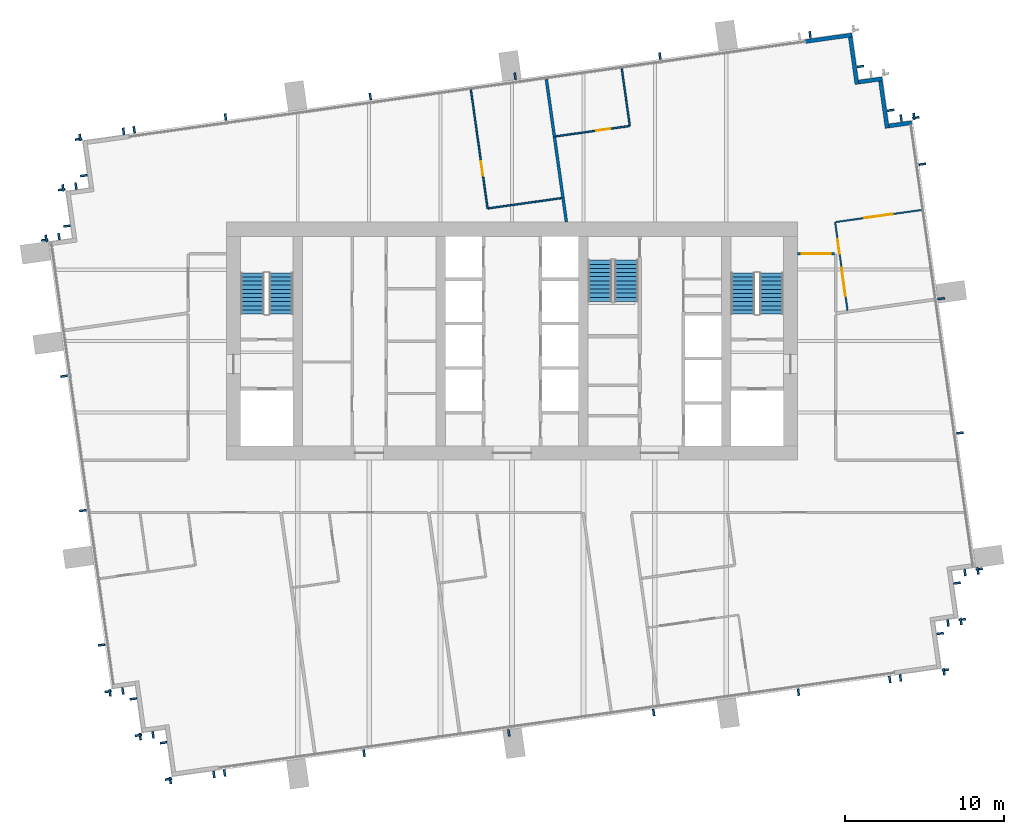
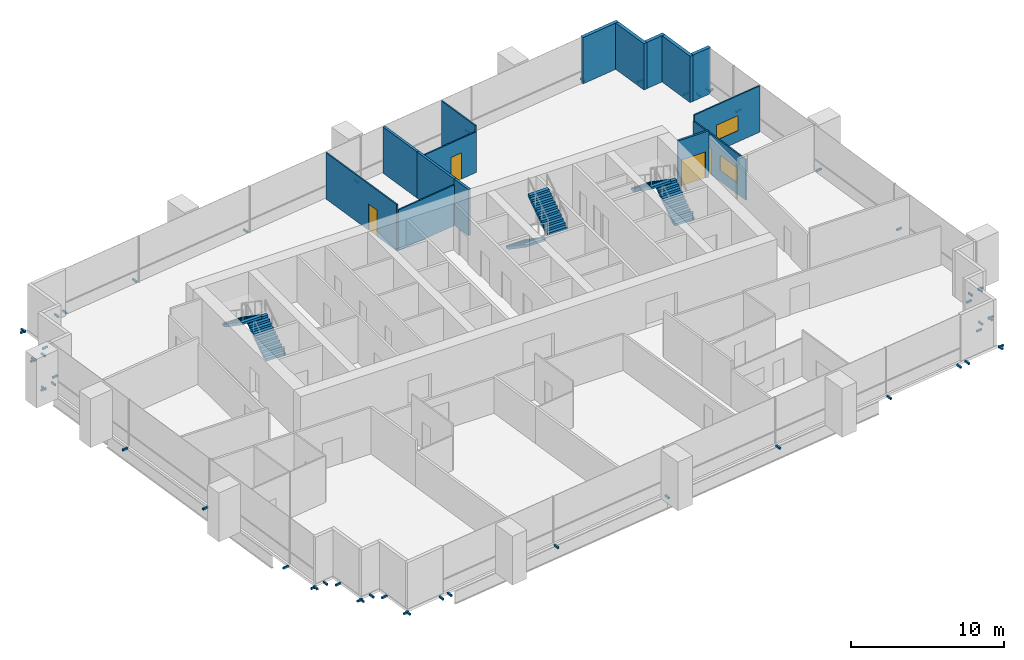
# One storey, part 12 of 14: 56 discrete accessories, 15 walls, 6 stair flights, 4 doors, 2 windows, 6 openings, 3 elements without a shape of their own.
"""IFC4 building model written with IfcOpenShell, lengths in metres."""

from ifc_helpers import new_model, si_unit, direction, frame, frame_2d, origin, origin_2d, place, context, subcontext, project, spatial, polyline, rectangle, outline, extrude, material, layer, layer_set, type_object, element, fill, aggregate, save


model = new_model("IFC4")

# Units and contexts
model_context = context("Model", 3, precision=1e-05, world=origin(), true_north=direction((0.0, 1.0)))
body_context = subcontext(model_context, "Body", "Model", "MODEL_VIEW")
ifc_project = project(units=[si_unit("LENGTHUNIT", "METRE"), si_unit("AREAUNIT", "SQUARE_METRE"), si_unit("VOLUMEUNIT", "CUBIC_METRE"), si_unit("PLANEANGLEUNIT", "RADIAN"), si_unit("MASSUNIT", "GRAM", prefix="KILO")], contexts=[model_context])

# Site, building, storey
site_placement = place(None, origin())
site = spatial("IfcSite", under=ifc_project, at=site_placement, CompositionType="ELEMENT")
building_placement = place(site_placement, origin())
building = spatial("IfcBuilding", under=site, at=building_placement, Name="Rattan Terrace Tower", CompositionType="ELEMENT")
storey_placement = place(building_placement, frame((0.0, 0.0, 195.800048828125)))
storey = spatial("IfcBuildingStorey", under=building, at=storey_placement, Name="L45", CompositionType="ELEMENT", Elevation=195.800048828125)

# Walls
ifc_material_1 = material(Name="Insulated aluminium-clad stud wall", Category="aluminium")
ifc_layer_1 = layer(ifc_material_1, 0.25)
ifc_layer_set_1 = layer_set([ifc_layer_1], Name="Facade Riser Wall 250")
wall_type_1 = type_object("IfcWallType", Name="Facade Riser Wall 250", PredefinedType="SOLIDWALL", material=ifc_layer_set_1)
wall_1_placement = place(storey_placement, frame((25.18359375, 13.758056640625, 0.0), z_axis=(0.0, 0.0, 1.0), x_axis=(-0.9902493448, -0.13930626376, 0.0)))
element("IfcWall", 1, at=wall_1_placement, inside=storey, type_object=wall_type_1, Name="Riser wall L45-6", PredefinedType="SOLIDWALL", context=body_context, shape_type="SweptSolid", body=[
    extrude(rectangle(XDim=1.45458984375, YDim=0.25, at=frame_2d((0.727294921875, 0.0))), origin(), (0.0, 0.0, 1.0), 3.699951171875),
])
wall_2_placement = place(storey_placement, frame((23.63671875, 13.414306640625, 0.0), z_axis=(0.0, 0.0, 1.0), x_axis=(-0.139313431826, 0.990248336385, 0.0)))
element("IfcWall", 2, at=wall_2_placement, inside=storey, type_object=wall_type_1, Name="Riser wall L45-7", PredefinedType="SOLIDWALL", context=body_context, shape_type="SweptSolid", body=[
    extrude(rectangle(XDim=3.000244140625, YDim=0.25, at=frame_2d((1.5, 0.0))), origin(), (0.0, 0.0, 1.0), 3.699951171875),
])
wall_3_placement = place(storey_placement, frame((23.3251953125, 16.5263671875, 0.0), z_axis=(0.0, 0.0, 1.0), x_axis=(-0.990243596651, -0.13934711799, 0.0)))
element("IfcWall", 3, at=wall_3_placement, inside=storey, type_object=wall_type_1, Name="Riser wall L45-8", PredefinedType="SOLIDWALL", context=body_context, shape_type="SweptSolid", body=[
    extrude(rectangle(XDim=1.499755859375, YDim=0.25, at=frame_2d((0.75, 0.0))), origin(), (0.0, 0.0, 1.0), 3.699951171875),
])
wall_4_placement = place(storey_placement, frame((21.733642578125, 16.17626953125, 0.0), z_axis=(0.0, 0.0, 1.0), x_axis=(-0.139313431826, 0.990248336385, 0.0)))
element("IfcWall", 4, at=wall_4_placement, inside=storey, type_object=wall_type_1, Name="Riser wall L45-9", PredefinedType="SOLIDWALL", context=body_context, shape_type="SweptSolid", body=[
    extrude(rectangle(XDim=3.000244140625, YDim=0.25, at=frame_2d((1.5, 0.0))), origin(), (0.0, 0.0, 1.0), 3.699951171875),
])
wall_5_placement = place(storey_placement, frame((21.422119140625, 19.288330078125, 0.0), z_axis=(0.0, 0.0, 1.0), x_axis=(-0.990246427036, -0.139327002919, 0.0)))
element("IfcWall", 5, at=wall_5_placement, inside=storey, type_object=wall_type_1, Name="Riser wall L45-10", PredefinedType="SOLIDWALL", context=body_context, shape_type="SweptSolid", body=[
    extrude(rectangle(XDim=2.954345703125, YDim=0.25, at=frame_2d((1.47705078125, 0.0))), origin(), (0.0, 0.0, 1.0), 3.699951171875),
])
ifc_material_2 = material(Name="Double steel stud acoustic partition, gypsum board, mineral wool, fire rated", Category="steel")
ifc_layer_2 = layer(ifc_material_2, 0.179931640625)
ifc_layer_set_2 = layer_set([ifc_layer_2], Name="Floors Acoustic Party Wall 180")
wall_type_2 = type_object("IfcWallType", Name="Floors Acoustic Party Wall 180", PredefinedType="PARTITIONING", material=ifc_layer_set_2)
wall_6_placement = place(storey_placement, frame((3.214111328125, 9.02392578125, 0.0), z_axis=(0.0, 0.0, 1.0), x_axis=(0.138977710078, -0.990295509483, 0.0)))
element("IfcWall", 6, at=wall_6_placement, inside=storey, type_object=wall_type_2, Name="pt-L45-041", PredefinedType="PARTITIONING", context=body_context, shape_type="SweptSolid", body=[
    extrude(rectangle(XDim=1.538818359375, YDim=0.179931640625, at=frame_2d((0.76953125, 0.0))), origin(), (0.0, 0.0, 1.0), 3.699951171875),
])
wall_7_placement = place(storey_placement, frame((2.6689453125, 12.906005859375, 0.0), z_axis=(0.0, 0.0, 1.0), x_axis=(0.139066846741, -0.990282995985, 0.0)))
element("IfcWall", 7, at=wall_7_placement, inside=storey, type_object=wall_type_2, Name="pt-L45-042", PredefinedType="PARTITIONING", context=body_context, shape_type="SweptSolid", body=[
    extrude(rectangle(XDim=3.920166015625, YDim=0.179931640625, at=frame_2d((1.9599609375, 0.0))), origin(), (0.0, 0.0, 1.0), 3.699951171875),
])
wall_8_placement = place(storey_placement, frame((2.1650390625, 16.490966796875, 0.0), z_axis=(0.0, 0.0, 1.0), x_axis=(0.138928291597, -0.990302443597, 0.0)))
element("IfcWall", 8, at=wall_8_placement, inside=storey, type_object=wall_type_2, Name="pt-L45-043", PredefinedType="PARTITIONING", context=body_context, shape_type="SweptSolid", body=[
    extrude(rectangle(XDim=3.6201171875, YDim=0.179931640625, at=frame_2d((1.81005859375, 0.0))), origin(), (0.0, 0.0, 1.0), 3.699951171875),
])

# Wall, opening, door
ifc_material_3 = material(Name="Gypsum board partition on steel studs", Category="steel")
ifc_layer_3 = layer(ifc_material_3, 0.10009765625)
ifc_layer_set_3 = layer_set([ifc_layer_3], Name="Floors Partition 100")
wall_type_3 = type_object("IfcWallType", Name="Floors Partition 100", PredefinedType="PARTITIONING", material=ifc_layer_set_3)
wall_9_placement = place(storey_placement, frame((-2.587890625, 15.822021484375, 0.0), z_axis=(0.0, 0.0, 1.0), x_axis=(0.139113424861, -0.990276453837, 0.0)))
wall_9 = element("IfcWall", 9, at=wall_9_placement, inside=storey, type_object=wall_type_3, Name="pt-L45-039", PredefinedType="PARTITIONING", context=body_context, shape_type="SweptSolid", body=[
    extrude(rectangle(XDim=7.539306640625, YDim=0.10009765625, at=frame_2d((3.76953125, 0.0))), origin(), (0.0, 0.0, 1.0), 3.699951171875),
])
opening_1_placement = place(wall_9_placement, frame((4.548095703125, 0.0, 0.0)))
opening_1 = element("IfcOpeningElement", 10, at=opening_1_placement, cuts=wall_9, Name="Opening L45-D112", PredefinedType="OPENING", context=body_context, shape_type="SweptSolid", body=[
    extrude(rectangle(XDim=0.89990234375, YDim=2.10009765625, at=frame_2d((0.449951171875, 1.050048828125))), frame((0.0, 0.060546875, 0.0), z_axis=(0.0, -1.0, 0.0), x_axis=(1.0, 0.0, 0.0)), (0.0, 0.0, 1.0), 0.12109375),
])
ifc_material_4 = material(Name="Solid core timber door, painted", Category="wood")
door_type_1 = type_object("IfcDoorType", Name="Floors Door 900x2100", OperationType="NOTDEFINED", PredefinedType="DOOR", material=ifc_material_4)
door_1_placement = place(opening_1_placement, origin())
door_1 = element("IfcDoor", 11, at=door_1_placement, inside=storey, type_object=door_type_1, Name="d-L45-112", OperationType="SINGLE_SWING_RIGHT", OverallHeight=2.10009765625, OverallWidth=0.89990234375, PredefinedType="DOOR", context=body_context, shape_type="SweptSolid", body=[
    extrude(rectangle(XDim=0.89990234375, YDim=2.10009765625, at=frame_2d((0.449951171875, 1.050048828125))), frame((0.0, 0.02490234375, 0.0), z_axis=(0.0, -1.0, 0.0), x_axis=(1.0, 0.0, 0.0)), (0.0, 0.0, 1.0), 0.050048828125),
])
fill(opening_1, door_1)

# Wall
wall_10_placement = place(storey_placement, frame((-1.489013671875, 8.363037109375, 0.0), z_axis=(0.0, 0.0, 1.0), x_axis=(0.990283092648, 0.139066158415, 0.0)))
element("IfcWall", 12, at=wall_10_placement, inside=storey, type_object=wall_type_3, Name="pt-L45-040", PredefinedType="PARTITIONING", context=body_context, shape_type="SweptSolid", body=[
    extrude(rectangle(XDim=4.6591796875, YDim=0.10009765625, at=frame_2d((2.32958984375, 0.0))), origin(), (0.0, 0.0, 1.0), 3.25),
])

# Wall, openings, door, window
wall_11_placement = place(storey_placement, frame((20.35888671875, 7.4951171875, 0.0), z_axis=(0.0, 0.0, 1.0), x_axis=(0.139221490403, -0.990261266843, 0.0)))
wall_11 = element("IfcWall", 13, at=wall_11_placement, inside=storey, type_object=wall_type_3, Name="pt-L45-046", PredefinedType="PARTITIONING", context=body_context, shape_type="SweptSolid", body=[
    extrude(rectangle(XDim=5.60986328125, YDim=0.10009765625, at=frame_2d((2.804931640625, 0.0))), origin(), (0.0, 0.0, 1.0), 3.25),
])
opening_2_placement = place(wall_11_placement, frame((1.092041015625, 0.0, 0.0)))
opening_2 = element("IfcOpeningElement", 14, at=opening_2_placement, cuts=wall_11, Name="Opening L45-D115", PredefinedType="OPENING", context=body_context, shape_type="SweptSolid", body=[
    extrude(rectangle(XDim=0.89990234375, YDim=2.10009765625, at=frame_2d((0.449951171875, 1.050048828125))), frame((0.0, 0.060546875, 0.0), z_axis=(0.0, -1.0, 0.0), x_axis=(1.0, 0.0, 0.0)), (0.0, 0.0, 1.0), 0.12109375),
])
opening_3_placement = place(wall_11_placement, frame((2.90087890625, 0.0, 0.89990234375)))
opening_3 = element("IfcOpeningElement", 15, at=opening_3_placement, cuts=wall_11, Name="Opening L45-W102", PredefinedType="OPENING", context=body_context, shape_type="SweptSolid", body=[
    extrude(rectangle(XDim=1.800048828125, YDim=1.199951171875, at=frame_2d((0.89990234375, 0.60009765625))), frame((0.0, 0.060546875, 0.0), z_axis=(0.0, -1.0, 0.0), x_axis=(1.0, 0.0, 0.0)), (0.0, 0.0, 1.0), 0.12109375),
])
door_2_placement = place(opening_2_placement, origin())
door_2 = element("IfcDoor", 16, at=door_2_placement, inside=storey, type_object=door_type_1, Name="d-L45-115", OperationType="SINGLE_SWING_LEFT", OverallHeight=2.10009765625, OverallWidth=0.89990234375, PredefinedType="DOOR", context=body_context, shape_type="SweptSolid", body=[
    extrude(rectangle(XDim=0.89990234375, YDim=2.10009765625, at=frame_2d((0.449951171875, 1.050048828125))), frame((0.0, 0.02490234375, 0.0), z_axis=(0.0, -1.0, 0.0), x_axis=(1.0, 0.0, 0.0)), (0.0, 0.0, 1.0), 0.050048828125),
])
fill(opening_2, door_2)
ifc_material_5 = material(Name="Glass, clear, fixed in aluminium frame", Category="aluminium")
window_type = type_object("IfcWindowType", Name="Interior Vision Window 1800x1200", PartitioningType="SINGLE_PANEL", PredefinedType="WINDOW", material=ifc_material_5)
window_1_placement = place(opening_3_placement, origin())
window_1 = element("IfcWindow", 17, at=window_1_placement, inside=storey, type_object=window_type, Name="w-L45-102", OverallHeight=1.199951171875, OverallWidth=1.800048828125, PartitioningType="SINGLE_PANEL", PredefinedType="WINDOW", context=body_context, shape_type="SweptSolid", body=[
    extrude(rectangle(XDim=1.800048828125, YDim=1.199951171875, at=frame_2d((0.89990234375, 0.60009765625))), frame((0.0, 0.030029296875, 0.0), z_axis=(0.0, -1.0, 0.0), x_axis=(1.0, 0.0, 0.0)), (0.0, 0.0, 1.0), 0.06005859375),
])
fill(opening_3, window_1)

# Wall, opening, window
wall_12_placement = place(storey_placement, frame((25.784912109375, 8.258056640625, 0.0), z_axis=(0.0, 0.0, 1.0), x_axis=(-0.990257353855, -0.139249320055, 0.0)))
wall_12 = element("IfcWall", 18, at=wall_12_placement, inside=storey, type_object=wall_type_3, Name="pt-L45-047", PredefinedType="PARTITIONING", context=body_context, shape_type="SweptSolid", body=[
    extrude(rectangle(XDim=5.429931640625, YDim=0.10009765625, at=frame_2d((2.71484375, 0.0))), origin(), (0.0, 0.0, 1.0), 3.699951171875),
])
opening_4_placement = place(wall_12_placement, frame((1.81494140625, 0.0, 0.89990234375)))
opening_4 = element("IfcOpeningElement", 19, at=opening_4_placement, cuts=wall_12, Name="Opening L45-W103", PredefinedType="OPENING", context=body_context, shape_type="SweptSolid", body=[
    extrude(rectangle(XDim=1.800048828125, YDim=1.199951171875, at=frame_2d((0.89990234375, 0.60009765625))), frame((0.0, 0.060546875, 0.0), z_axis=(0.0, -1.0, 0.0), x_axis=(1.0, 0.0, 0.0)), (0.0, 0.0, 1.0), 0.12109375),
])
window_2_placement = place(opening_4_placement, origin())
window_2 = element("IfcWindow", 20, at=window_2_placement, inside=storey, type_object=window_type, Name="w-L45-103", OverallHeight=1.199951171875, OverallWidth=1.800048828125, PartitioningType="SINGLE_PANEL", PredefinedType="WINDOW", context=body_context, shape_type="SweptSolid", body=[
    extrude(rectangle(XDim=1.800048828125, YDim=1.199951171875, at=frame_2d((0.89990234375, 0.60009765625))), frame((0.0, 0.030029296875, 0.0), z_axis=(0.0, -1.0, 0.0), x_axis=(1.0, 0.0, 0.0)), (0.0, 0.0, 1.0), 0.06005859375),
])
fill(opening_4, window_2)

# Wall, opening, door
wall_13_placement = place(storey_placement, frame((2.760986328125, 12.89892578125, 0.0), z_axis=(0.0, 0.0, 1.0), x_axis=(0.990277569518, 0.139105482671, 0.0)))
wall_13 = element("IfcWall", 21, at=wall_13_placement, inside=storey, type_object=wall_type_3, Name="pt-L45-048", PredefinedType="PARTITIONING", context=body_context, shape_type="SweptSolid", body=[
    extrude(rectangle(XDim=4.708984375, YDim=0.10009765625, at=frame_2d((2.3544921875, 0.0))), origin(), (0.0, 0.0, 1.0), 3.25),
])
opening_5_placement = place(wall_13_placement, frame((2.56591796875, 0.0, 0.0)))
opening_5 = element("IfcOpeningElement", 22, at=opening_5_placement, cuts=wall_13, Name="Opening L45-D116", PredefinedType="OPENING", context=body_context, shape_type="SweptSolid", body=[
    extrude(rectangle(XDim=0.89990234375, YDim=2.10009765625, at=frame_2d((0.449951171875, 1.050048828125))), frame((0.0, 0.060546875, 0.0), z_axis=(0.0, -1.0, 0.0), x_axis=(1.0, 0.0, 0.0)), (0.0, 0.0, 1.0), 0.12109375),
])
door_3_placement = place(opening_5_placement, origin())
door_3 = element("IfcDoor", 23, at=door_3_placement, inside=storey, type_object=door_type_1, Name="d-L45-116", OperationType="SINGLE_SWING_RIGHT", OverallHeight=2.10009765625, OverallWidth=0.89990234375, PredefinedType="DOOR", context=body_context, shape_type="SweptSolid", body=[
    extrude(rectangle(XDim=0.89990234375, YDim=2.10009765625, at=frame_2d((0.449951171875, 1.050048828125))), frame((0.0, 0.02490234375, 0.0), z_axis=(0.0, -1.0, 0.0), x_axis=(1.0, 0.0, 0.0)), (0.0, 0.0, 1.0), 0.050048828125),
])
fill(opening_5, door_3)

# Wall
wall_14_placement = place(storey_placement, frame((7.4169921875, 13.60302734375, 0.0), z_axis=(0.0, 0.0, 1.0), x_axis=(-0.139012030438, 0.990290692369, 0.0)))
element("IfcWall", 24, at=wall_14_placement, inside=storey, type_object=wall_type_3, Name="pt-L45-049", PredefinedType="PARTITIONING", context=body_context, shape_type="SweptSolid", body=[
    extrude(rectangle(XDim=3.58984375, YDim=0.10009765625, at=frame_2d((1.794921875, 0.0))), origin(), (0.0, 0.0, 1.0), 3.699951171875),
])

# Wall, opening, door
ifc_material_6 = material(Name="Gypsum board partition on steel studs, fire rated", Category="steel")
ifc_layer_4 = layer(ifc_material_6, 0.14990234375)
ifc_layer_set_4 = layer_set([ifc_layer_4], Name="Floors Tenancy Wall 150")
wall_type_4 = type_object("IfcWallType", Name="Floors Tenancy Wall 150", PredefinedType="PARTITIONING", material=ifc_layer_set_4)
wall_15_placement = place(storey_placement, frame((18.0, 5.5009765625, 0.0), z_axis=(0.0, 0.0, 1.0), x_axis=(1.0, 0.0, 0.0)))
wall_15 = element("IfcWall", 25, at=wall_15_placement, inside=storey, type_object=wall_type_4, Name="pt-L45-020", PredefinedType="PARTITIONING", context=body_context, shape_type="SweptSolid", body=[
    extrude(rectangle(XDim=2.324951171875, YDim=0.14990234375, at=frame_2d((1.16259765625, 0.0))), origin(), (0.0, 0.0, 1.0), 3.699951171875),
])
opening_6_placement = place(wall_15_placement, frame((0.26806640625, 0.0, 0.0)))
opening_6 = element("IfcOpeningElement", 26, at=opening_6_placement, cuts=wall_15, Name="Opening L45-D114", PredefinedType="OPENING", context=body_context, shape_type="SweptSolid", body=[
    extrude(rectangle(XDim=1.800048828125, YDim=2.10009765625, at=frame_2d((0.89990234375, 1.050048828125))), frame((0.0, 0.08544921875, 0.0), z_axis=(0.0, -1.0, 0.0), x_axis=(1.0, 0.0, 0.0)), (0.0, 0.0, 1.0), 0.1708984375),
])
ifc_material_7 = material(Name="Steel fire door set", Category="steel")
door_type_2 = type_object("IfcDoorType", Name="Floors Fire Door Pair FD30S 1800x2100", OperationType="NOTDEFINED", PredefinedType="DOOR", material=ifc_material_7)
door_4_placement = place(opening_6_placement, origin())
door_4 = element("IfcDoor", 27, at=door_4_placement, inside=storey, type_object=door_type_2, Name="d-L45-114", OperationType="DOUBLE_DOOR_SINGLE_SWING", OverallHeight=2.10009765625, OverallWidth=1.800048828125, PredefinedType="DOOR", context=body_context, shape_type="SweptSolid", body=[
    extrude(rectangle(XDim=1.800048828125, YDim=2.10009765625, at=frame_2d((0.89990234375, 1.050048828125))), frame((0.0, 0.02490234375, 0.0), z_axis=(0.0, -1.0, 0.0), x_axis=(1.0, 0.0, 0.0)), (0.0, 0.0, 1.0), 0.050048828125),
])
fill(opening_6, door_4)

# Stair, stair flights
ifc_material_8 = material(Name="Concrete C40/50", Category="concrete")
stair_type = type_object("IfcStairType", Name="Core exit stair 1500", PredefinedType="HALF_TURN_STAIR", material=ifc_material_8)
stair_1_placement = place(storey_placement, origin())
stair_1 = element("IfcStair", 28, at=stair_1_placement, inside=storey, type_object=stair_type, Name="L45 exit stair 1", PredefinedType="HALF_TURN_STAIR")
ifc_material_9 = material(Name="Concrete C40/50", Category="concrete")
stair_flight_type = type_object("IfcStairFlightType", Name="Core exit stair flight 1500", PredefinedType="STRAIGHT", material=ifc_material_9)
stair_flight_1_placement = place(storey_placement, frame((-14.550048828125, 1.699951171875, 0.0), z_axis=(0.0, 0.0, 1.0), x_axis=(0.0, 1.0, 0.0)))
stair_flight_1 = element("IfcStairFlight", 29, at=stair_flight_1_placement, type_object=stair_flight_type, Name="S1 flight 1", NumberOfRisers=11, NumberOfTreads=10, PredefinedType="STRAIGHT", RiserHeight=0.177272727, TreadLength=0.26, context=body_context, shape_type="SweptSolid", body=[
    extrude(outline(polyline([(0.0, 0.0), (0.0, 0.17724609375), (0.260009765625, 0.17724609375), (0.260009765625, 0.3544921875), (0.52001953125, 0.3544921875), (0.52001953125, 0.53173828125), (0.780029296875, 0.53173828125), (0.780029296875, 0.708984375), (1.0400390625, 0.708984375), (1.0400390625, 0.886474609375), (1.300048828125, 0.886474609375), (1.300048828125, 1.063720703125), (1.56005859375, 1.063720703125), (1.56005859375, 1.240966796875), (1.820068359375, 1.240966796875), (1.820068359375, 1.418212890625), (2.080078125, 1.418212890625), (2.080078125, 1.595458984375), (2.340087890625, 1.595458984375), (2.340087890625, 1.772705078125), (2.60009765625, 1.772705078125), (2.60009765625, 1.949951171875), (2.60009765625, 1.59130859375), (0.26611328125, 0.0), (0.0, 0.0)])), frame((0.0, 0.75, 0.0), z_axis=(0.0, -1.0, 0.0), x_axis=(1.0, 0.0, 0.0)), (0.0, 0.0, 1.0), 1.5),
])
stair_flight_2_placement = place(storey_placement, frame((-16.35009765625, 4.300048828125, 1.949951171875), z_axis=(0.0, 0.0, 1.0), x_axis=(0.0, -1.0, 0.0)))
stair_flight_2 = element("IfcStairFlight", 30, at=stair_flight_2_placement, type_object=stair_flight_type, Name="S1 flight 2", NumberOfRisers=11, NumberOfTreads=10, PredefinedType="STRAIGHT", RiserHeight=0.177272727, TreadLength=0.26, context=body_context, shape_type="SweptSolid", body=[
    extrude(outline(polyline([(0.0, 0.0), (0.0, 0.17724609375), (0.260009765625, 0.17724609375), (0.260009765625, 0.3544921875), (0.52001953125, 0.3544921875), (0.52001953125, 0.53173828125), (0.780029296875, 0.53173828125), (0.780029296875, 0.708984375), (1.0400390625, 0.708984375), (1.0400390625, 0.886474609375), (1.300048828125, 0.886474609375), (1.300048828125, 1.063720703125), (1.56005859375, 1.063720703125), (1.56005859375, 1.240966796875), (1.820068359375, 1.240966796875), (1.820068359375, 1.418212890625), (2.080078125, 1.418212890625), (2.080078125, 1.595458984375), (2.340087890625, 1.595458984375), (2.340087890625, 1.772705078125), (2.60009765625, 1.772705078125), (2.60009765625, 1.949951171875), (2.60009765625, 1.59130859375), (0.26611328125, 0.0), (0.0, 0.0)])), frame((0.0, 0.75, 0.0), z_axis=(0.0, -1.0, 0.0), x_axis=(1.0, 0.0, 0.0)), (0.0, 0.0, 1.0), 1.5),
])
aggregate(stair_1, [stair_flight_1, stair_flight_2])

stair_2_placement = place(storey_placement, origin())
stair_2 = element("IfcStair", 31, at=stair_2_placement, inside=storey, type_object=stair_type, Name="L45 exit stair 2", PredefinedType="HALF_TURN_STAIR")
stair_flight_3_placement = place(storey_placement, frame((16.35009765625, 1.699951171875, 0.0), z_axis=(0.0, 0.0, 1.0), x_axis=(0.0, 1.0, 0.0)))
stair_flight_3 = element("IfcStairFlight", 32, at=stair_flight_3_placement, type_object=stair_flight_type, Name="S2 flight 1", NumberOfRisers=11, NumberOfTreads=10, PredefinedType="STRAIGHT", RiserHeight=0.177272727, TreadLength=0.26, context=body_context, shape_type="SweptSolid", body=[
    extrude(outline(polyline([(0.0, 0.0), (0.0, 0.17724609375), (0.260009765625, 0.17724609375), (0.260009765625, 0.3544921875), (0.52001953125, 0.3544921875), (0.52001953125, 0.53173828125), (0.780029296875, 0.53173828125), (0.780029296875, 0.708984375), (1.0400390625, 0.708984375), (1.0400390625, 0.886474609375), (1.300048828125, 0.886474609375), (1.300048828125, 1.063720703125), (1.56005859375, 1.063720703125), (1.56005859375, 1.240966796875), (1.820068359375, 1.240966796875), (1.820068359375, 1.418212890625), (2.080078125, 1.418212890625), (2.080078125, 1.595458984375), (2.340087890625, 1.595458984375), (2.340087890625, 1.772705078125), (2.60009765625, 1.772705078125), (2.60009765625, 1.949951171875), (2.60009765625, 1.59130859375), (0.26611328125, 0.0), (0.0, 0.0)])), frame((0.0, 0.75, 0.0), z_axis=(0.0, -1.0, 0.0), x_axis=(1.0, 0.0, 0.0)), (0.0, 0.0, 1.0), 1.5),
])
stair_flight_4_placement = place(storey_placement, frame((14.550048828125, 4.300048828125, 1.949951171875), z_axis=(0.0, 0.0, 1.0), x_axis=(0.0, -1.0, 0.0)))
stair_flight_4 = element("IfcStairFlight", 33, at=stair_flight_4_placement, type_object=stair_flight_type, Name="S2 flight 2", NumberOfRisers=11, NumberOfTreads=10, PredefinedType="STRAIGHT", RiserHeight=0.177272727, TreadLength=0.26, context=body_context, shape_type="SweptSolid", body=[
    extrude(outline(polyline([(0.0, 0.0), (0.0, 0.17724609375), (0.260009765625, 0.17724609375), (0.260009765625, 0.3544921875), (0.52001953125, 0.3544921875), (0.52001953125, 0.53173828125), (0.780029296875, 0.53173828125), (0.780029296875, 0.708984375), (1.0400390625, 0.708984375), (1.0400390625, 0.886474609375), (1.300048828125, 0.886474609375), (1.300048828125, 1.063720703125), (1.56005859375, 1.063720703125), (1.56005859375, 1.240966796875), (1.820068359375, 1.240966796875), (1.820068359375, 1.418212890625), (2.080078125, 1.418212890625), (2.080078125, 1.595458984375), (2.340087890625, 1.595458984375), (2.340087890625, 1.772705078125), (2.60009765625, 1.772705078125), (2.60009765625, 1.949951171875), (2.60009765625, 1.59130859375), (0.26611328125, 0.0), (0.0, 0.0)])), frame((0.0, 0.75, 0.0), z_axis=(0.0, -1.0, 0.0), x_axis=(1.0, 0.0, 0.0)), (0.0, 0.0, 1.0), 1.5),
])
aggregate(stair_2, [stair_flight_3, stair_flight_4])

stair_3_placement = place(storey_placement, origin())
stair_3 = element("IfcStair", 34, at=stair_3_placement, inside=storey, type_object=stair_type, Name="L45 exit stair 3", PredefinedType="HALF_TURN_STAIR")
stair_flight_5_placement = place(storey_placement, frame((5.550048828125, 5.10009765625, 0.0), z_axis=(0.0, 0.0, 1.0), x_axis=(0.0, -1.0, 0.0)))
stair_flight_5 = element("IfcStairFlight", 35, at=stair_flight_5_placement, type_object=stair_flight_type, Name="S3 flight 1", NumberOfRisers=11, NumberOfTreads=10, PredefinedType="STRAIGHT", RiserHeight=0.177272727, TreadLength=0.26, context=body_context, shape_type="SweptSolid", body=[
    extrude(outline(polyline([(0.0, 0.0), (0.0, 0.17724609375), (0.260009765625, 0.17724609375), (0.260009765625, 0.3544921875), (0.52001953125, 0.3544921875), (0.52001953125, 0.53173828125), (0.780029296875, 0.53173828125), (0.780029296875, 0.708984375), (1.0400390625, 0.708984375), (1.0400390625, 0.886474609375), (1.300048828125, 0.886474609375), (1.300048828125, 1.063720703125), (1.56005859375, 1.063720703125), (1.56005859375, 1.240966796875), (1.820068359375, 1.240966796875), (1.820068359375, 1.418212890625), (2.080078125, 1.418212890625), (2.080078125, 1.595458984375), (2.340087890625, 1.595458984375), (2.340087890625, 1.772705078125), (2.60009765625, 1.772705078125), (2.60009765625, 1.949951171875), (2.60009765625, 1.59130859375), (0.26611328125, 0.0), (0.0, 0.0)])), frame((0.0, 0.75, 0.0), z_axis=(0.0, -1.0, 0.0), x_axis=(1.0, 0.0, 0.0)), (0.0, 0.0, 1.0), 1.5),
])
stair_flight_6_placement = place(storey_placement, frame((7.199951171875, 2.5, 1.949951171875), z_axis=(0.0, 0.0, 1.0), x_axis=(0.0, 1.0, 0.0)))
stair_flight_6 = element("IfcStairFlight", 36, at=stair_flight_6_placement, type_object=stair_flight_type, Name="S3 flight 2", NumberOfRisers=11, NumberOfTreads=10, PredefinedType="STRAIGHT", RiserHeight=0.177272727, TreadLength=0.26, context=body_context, shape_type="SweptSolid", body=[
    extrude(outline(polyline([(0.0, 0.0), (0.0, 0.17724609375), (0.260009765625, 0.17724609375), (0.260009765625, 0.3544921875), (0.52001953125, 0.3544921875), (0.52001953125, 0.53173828125), (0.780029296875, 0.53173828125), (0.780029296875, 0.708984375), (1.0400390625, 0.708984375), (1.0400390625, 0.886474609375), (1.300048828125, 0.886474609375), (1.300048828125, 1.063720703125), (1.56005859375, 1.063720703125), (1.56005859375, 1.240966796875), (1.820068359375, 1.240966796875), (1.820068359375, 1.418212890625), (2.080078125, 1.418212890625), (2.080078125, 1.595458984375), (2.340087890625, 1.595458984375), (2.340087890625, 1.772705078125), (2.60009765625, 1.772705078125), (2.60009765625, 1.949951171875), (2.60009765625, 1.59130859375), (0.26611328125, 0.0), (0.0, 0.0)])), frame((0.0, 0.75, 0.0), z_axis=(0.0, -1.0, 0.0), x_axis=(1.0, 0.0, 0.0)), (0.0, 0.0, 1.0), 1.5),
])
aggregate(stair_3, [stair_flight_5, stair_flight_6])

# Discrete accessories
for number, where, z_axis, x_axis, name in (
    (37, (24.474853515625, -21.2216796875, -0.169921875), (0.0, 0.0, 1.0), (0.990247240581, 0.139321220646, 0.0), "Panel bracket L45-1"),
    (38, (27.21826171875, -20.835693359375, -0.169921875), (0.0, 0.0, 1.0), (0.990247240581, 0.139321220646, 0.0), "Panel bracket L45-2"),
    (39, (27.30322265625, -20.72265625, -0.169921875), (0.0, 0.0, 1.0), (-0.139321220646, 0.990247240581, 0.0), "Panel bracket L45-3"),
    (40, (26.97998046875, -18.42529296875, -0.169921875), (0.0, 0.0, 1.0), (-0.139321220646, 0.990247240581, 0.0), "Panel bracket L45-4"),
    (41, (27.473876953125, -17.7705078125, -0.169921875), (0.0, 0.0, 1.0), (0.990345406709, 0.138621698915, 0.0), "Panel bracket L45-5"),
    (42, (28.286376953125, -17.65673828125, -0.169921875), (0.0, 0.0, 1.0), (0.990345406709, 0.138621698915, 0.0), "Panel bracket L45-6"),
    (43, (28.371337890625, -17.5439453125, -0.169921875), (0.0, 0.0, 1.0), (-0.139321220646, 0.990247240581, 0.0), "Panel bracket L45-7"),
    (44, (28.048095703125, -15.24609375, -0.169921875), (0.0, 0.0, 1.0), (-0.139321220646, 0.990247240581, 0.0), "Panel bracket L45-8"),
    (45, (28.54150390625, -14.5908203125, -0.169921875), (0.0, 0.0, 1.0), (0.99025370695, 0.139275252184, 0.0), "Panel bracket L45-9"),
    (46, (29.354248046875, -14.4765625, -0.169921875), (0.0, 0.0, 1.0), (0.99025370695, 0.139275252184, 0.0), "Panel bracket L45-10"),
    (47, (29.439208984375, -14.36376953125, -0.169921875), (0.0, 0.0, 1.0), (-0.139190856006, 0.99026557327, 0.0), "Panel bracket L45-11"),
    (48, (28.23388671875, -5.787841796875, -0.169921875), (0.0, 0.0, 1.0), (-0.139190856006, 0.99026557327, 0.0), "Panel bracket L45-12"),
    (49, (27.043701171875, 2.6787109375, -0.169921875), (0.0, 0.0, 1.0), (-0.139190856006, 0.99026557327, 0.0), "Panel bracket L45-13"),
    (50, (25.853759765625, 11.1455078125, -0.169921875), (0.0, 0.0, 1.0), (-0.139190856006, 0.99026557327, 0.0), "Panel bracket L45-14"),
    (51, (25.441650390625, 14.0771484375, -0.169921875), (0.0, 0.0, 1.0), (-0.139190856006, 0.99026557327, 0.0), "Panel bracket L45-15"),
    (52, (25.328857421875, 14.162353515625, -0.169921875), (0.0, 0.0, 1.0), (-0.990240767803, -0.139367219175, 0.0), "Panel bracket L45-16"),
    (53, (24.51708984375, 14.048095703125, -0.169921875), (0.0, 0.0, 1.0), (-0.990240767803, -0.139367219175, 0.0), "Panel bracket L45-17"),
    (54, (23.86181640625, 14.54150390625, -0.169921875), (0.0, 0.0, 1.0), (-0.139321220646, 0.990247240581, 0.0), "Panel bracket L45-18"),
    (55, (21.958984375, 17.303466796875, -0.169921875), (0.0, 0.0, 1.0), (-0.139321220646, 0.990247240581, 0.0), "Panel bracket L45-22"),
    (56, (18.780517578125, 19.30029296875, -0.169921875), (0.0, 0.0, 1.0), (-0.990240767803, -0.139367219175, 0.0), "Panel bracket L45-25"),
    (57, (9.3203125, 17.970947265625, -0.169921875), (0.0, 0.0, 1.0), (-0.990269702686, -0.139161474347, 0.0), "Panel bracket L45-27"),
    (58, (0.197021484375, 16.688720703125, -0.169921875), (0.0, 0.0, 1.0), (-0.990269702686, -0.139161474347, 0.0), "Panel bracket L45-28"),
    (59, (-8.92626953125, 15.40673828125, -0.169921875), (0.0, 0.0, 1.0), (-0.990269702686, -0.139161474347, 0.0), "Panel bracket L45-29"),
    (60, (-18.0498046875, 14.12451171875, -0.169921875), (0.0, 0.0, 1.0), (-0.990269702686, -0.139161474347, 0.0), "Panel bracket L45-30"),
    (61, (-23.801513671875, 13.316162109375, -0.169921875), (0.0, 0.0, 1.0), (-0.990269702686, -0.139161474347, 0.0), "Panel bracket L45-31"),
    (62, (-24.474853515625, 13.2216796875, -0.169921875), (0.0, 0.0, 1.0), (-0.990247240581, -0.139321220646, 0.0), "Panel bracket L45-32"),
    (63, (-27.21826171875, 12.835693359375, -0.169921875), (0.0, 0.0, 1.0), (-0.990247240581, -0.139321220646, 0.0), "Panel bracket L45-33"),
    (64, (-27.30322265625, 12.72265625, -0.169921875), (0.0, 0.0, 1.0), (0.139321220646, -0.990247240581, 0.0), "Panel bracket L45-34"),
    (65, (-26.97998046875, 10.42529296875, -0.169921875), (0.0, 0.0, 1.0), (0.139321220646, -0.990247240581, 0.0), "Panel bracket L45-35"),
    (66, (-27.473876953125, 9.7705078125, -0.169921875), (0.0, 0.0, 1.0), (-0.990345406709, -0.138621698915, 0.0), "Panel bracket L45-36"),
    (67, (-28.286376953125, 9.65673828125, -0.169921875), (0.0, 0.0, 1.0), (-0.990345406709, -0.138621698915, 0.0), "Panel bracket L45-37"),
    (68, (-28.371337890625, 9.5439453125, -0.169921875), (0.0, 0.0, 1.0), (0.139321220646, -0.990247240581, 0.0), "Panel bracket L45-38"),
    (69, (-28.048095703125, 7.24609375, -0.169921875), (0.0, 0.0, 1.0), (0.139321220646, -0.990247240581, 0.0), "Panel bracket L45-39"),
    (70, (-28.54150390625, 6.5908203125, -0.169921875), (0.0, 0.0, 1.0), (-0.99025370695, -0.139275252184, 0.0), "Panel bracket L45-40"),
    (71, (-29.354248046875, 6.4765625, -0.169921875), (0.0, 0.0, 1.0), (-0.99025370695, -0.139275252184, 0.0), "Panel bracket L45-41"),
    (72, (-29.439208984375, 6.36376953125, -0.169921875), (0.0, 0.0, 1.0), (0.139190856006, -0.99026557327, 0.0), "Panel bracket L45-42"),
    (73, (-28.23388671875, -2.212158203125, -0.169921875), (0.0, 0.0, 1.0), (0.139190856006, -0.99026557327, 0.0), "Panel bracket L45-43"),
    (74, (-27.043701171875, -10.6787109375, -0.169921875), (0.0, 0.0, 1.0), (0.139190856006, -0.99026557327, 0.0), "Panel bracket L45-44"),
    (75, (-25.853759765625, -19.1455078125, -0.169921875), (0.0, 0.0, 1.0), (0.139190856006, -0.99026557327, 0.0), "Panel bracket L45-45"),
    (76, (-25.441650390625, -22.0771484375, -0.169921875), (0.0, 0.0, 1.0), (0.139190856006, -0.99026557327, 0.0), "Panel bracket L45-46"),
    (77, (-25.328857421875, -22.162353515625, -0.169921875), (0.0, 0.0, 1.0), (0.990240767803, 0.139367219175, 0.0), "Panel bracket L45-47"),
    (78, (-24.51708984375, -22.048095703125, -0.169921875), (0.0, 0.0, 1.0), (0.990240767803, 0.139367219175, 0.0), "Panel bracket L45-48"),
    (79, (-23.86181640625, -22.54150390625, -0.169921875), (0.0, 0.0, 1.0), (0.139321220646, -0.990247240581, 0.0), "Panel bracket L45-49"),
    (80, (-23.53857421875, -24.83935546875, -0.169921875), (0.0, 0.0, 1.0), (0.139321220646, -0.990247240581, 0.0), "Panel bracket L45-50"),
    (81, (-23.42578125, -24.92431640625, -0.169921875), (0.0, 0.0, 1.0), (0.990240767803, 0.139367219175, 0.0), "Panel bracket L45-51"),
    (82, (-22.614013671875, -24.81005859375, -0.169921875), (0.0, 0.0, 1.0), (0.990240767803, 0.139367219175, 0.0), "Panel bracket L45-52"),
    (83, (-21.958984375, -25.303466796875, -0.169921875), (0.0, 0.0, 1.0), (0.139321220646, -0.990247240581, 0.0), "Panel bracket L45-53"),
    (84, (-21.635498046875, -27.601318359375, -0.169921875), (0.0, 0.0, 1.0), (0.139321220646, -0.990247240581, 0.0), "Panel bracket L45-54"),
    (85, (-21.522705078125, -27.686279296875, -0.169921875), (0.0, 0.0, 1.0), (0.990240767803, 0.139367219175, 0.0), "Panel bracket L45-55"),
    (86, (-18.780517578125, -27.30029296875, -0.169921875), (0.0, 0.0, 1.0), (0.990240767803, 0.139367219175, 0.0), "Panel bracket L45-56"),
    (87, (-18.10693359375, -27.20556640625, -0.169921875), (0.0, 0.0, 1.0), (0.990269702686, 0.139161474347, 0.0), "Panel bracket L45-57"),
    (88, (-9.3203125, -25.970947265625, -0.169921875), (0.0, 0.0, 1.0), (0.990269702686, 0.139161474347, 0.0), "Panel bracket L45-58"),
    (89, (-0.197021484375, -24.688720703125, -0.169921875), (0.0, 0.0, 1.0), (0.990269702686, 0.139161474347, 0.0), "Panel bracket L45-59"),
    (90, (8.92626953125, -23.40673828125, -0.169921875), (0.0, 0.0, 1.0), (0.990269702686, 0.139161474347, 0.0), "Panel bracket L45-60"),
    (91, (18.0498046875, -22.12451171875, -0.169921875), (0.0, 0.0, 1.0), (0.990269702686, 0.139161474347, 0.0), "Panel bracket L45-61"),
    (92, (23.801513671875, -21.316162109375, -0.169921875), (0.0, 0.0, 1.0), (0.990269702686, 0.139161474347, 0.0), "Panel bracket L45-62"),
):
    element("IfcDiscreteAccessory", number, at=place(storey_placement, frame(where, z_axis=z_axis, x_axis=x_axis)), inside=storey, Name=name, PredefinedType="BRACKET", context=body_context, shape_type="SweptSolid", body=[
        extrude(rectangle(XDim=0.1201171875, YDim=0.419921875, at=origin_2d()), origin(), (0.0, 0.0, 1.0), 0.139892578125),
    ])

save(model, "model.ifc")
